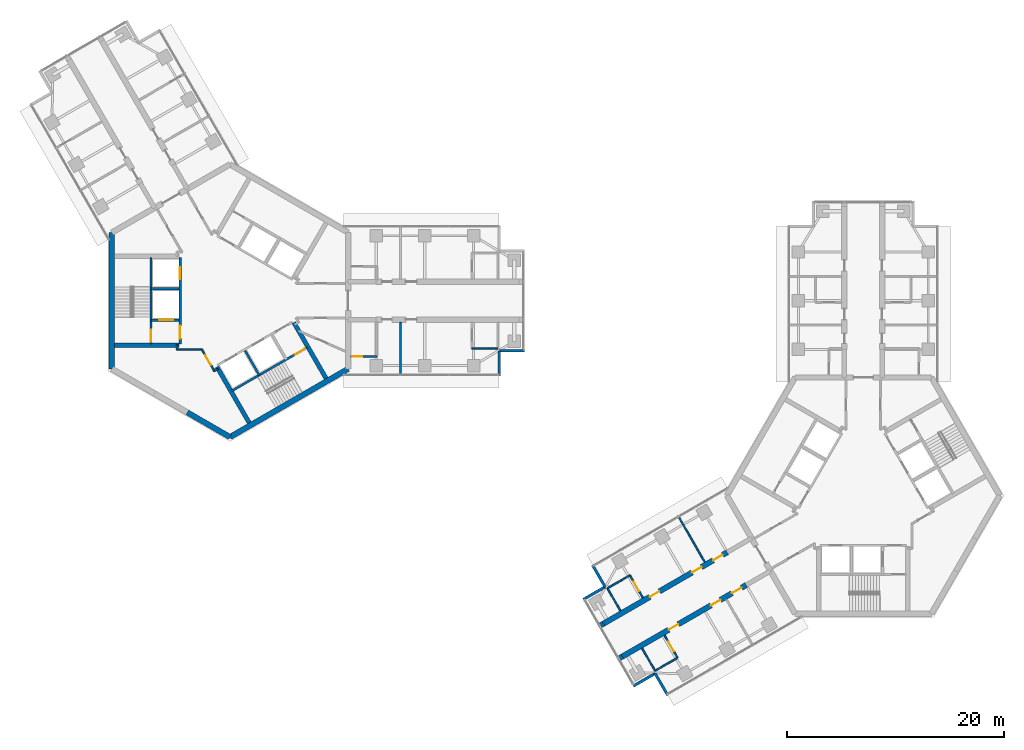
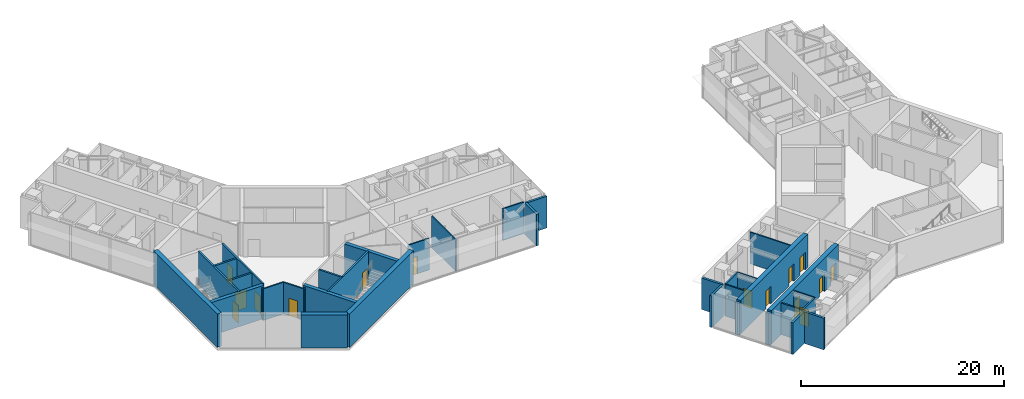
# One storey, part 11 of 17: 36 walls, 15 doors, 15 openings.
"""IFC4 building model written with IfcOpenShell, lengths in metres."""

from ifc_helpers import new_model, si_unit, direction, frame, frame_2d, origin, place, context, subcontext, project, spatial, rectangle, extrude, material, layer, layer_set, type_object, element, fill, save


model = new_model("IFC4")

# Units and contexts
model_context = context("Model", 3, precision=1e-05, world=origin(), true_north=direction((0.0, 1.0)))
body_context = subcontext(model_context, "Body", "Model", "MODEL_VIEW")
ifc_project = project(units=[si_unit("LENGTHUNIT", "METRE"), si_unit("AREAUNIT", "SQUARE_METRE"), si_unit("VOLUMEUNIT", "CUBIC_METRE"), si_unit("PLANEANGLEUNIT", "RADIAN"), si_unit("MASSUNIT", "GRAM", prefix="KILO")], contexts=[model_context])

# Site, building, storey
site_placement = place(None, origin())
site = spatial("IfcSite", under=ifc_project, at=site_placement, CompositionType="ELEMENT")
building_placement = place(site_placement, origin())
building = spatial("IfcBuilding", under=site, at=building_placement, Name="Upepo Twin Towers", CompositionType="ELEMENT")
storey_placement = place(building_placement, frame((0.0, 0.0, 194.5)))
storey = spatial("IfcBuildingStorey", under=building, at=storey_placement, Name="L47", CompositionType="ELEMENT", Elevation=194.5)

# Walls
ifc_material_1 = material(Name="Dense concrete blockwork", Category="masonry")
ifc_layer_1 = layer(ifc_material_1, 0.5)
ifc_layer_set_1 = layer_set([ifc_layer_1], Name="Buttress closer 500, blockwork with fire-stopping to the curtain wall")
wall_type_1 = type_object("IfcWallType", Name="Buttress closer 500, blockwork with fire-stopping to the curtain wall", PredefinedType="PARTITIONING", material=ifc_layer_set_1)
for number, where, z_axis, x_axis, name in (
    (1, (36.252197265625, -32.865478515625, 0.0), (0.0, 0.0, 1.0), (-0.86598763626, -0.500065409566, 0.0), "T2 L47 wing B buttress closer L"),
    (2, (34.502197265625, -29.83447265625, 0.0), (0.0, 0.0, 1.0), (-0.86598763626, -0.500065409566, 0.0), "T2 L47 wing B buttress closer R"),
):
    element("IfcWall", number, at=place(storey_placement, frame(where, z_axis=z_axis, x_axis=x_axis)), inside=storey, type_object=wall_type_1, Name=name, PredefinedType="PARTITIONING", context=body_context, shape_type="SweptSolid", body=[
        extrude(rectangle(XDim=0.28759765625, YDim=0.5, at=frame_2d((0.143798828125, 0.0))), origin(), (0.0, 0.0, 1.0), 3.800048828125),
    ])

# Wall, openings, doors
ifc_material_2 = material(Name="Concrete C60/75", Category="concrete")
ifc_layer_2 = layer(ifc_material_2, 0.5)
ifc_layer_set_2 = layer_set([ifc_layer_2], Name="Concrete C60/75")
wall_type_2 = type_object("IfcWallType", Name="Buttress wall 500 RC", PredefinedType="SHEAR", material=ifc_layer_set_2)
wall_1_placement = place(storey_placement, frame((47.68359375, -26.265625, 0.0), z_axis=(0.0, 0.0, 1.0), x_axis=(-0.866027579429, -0.499996231654, 0.0)))
wall_1 = element("IfcWall", 3, at=wall_1_placement, inside=storey, type_object=wall_type_2, Name="T2 wing B buttress wall L part 2", PredefinedType="SHEAR", context=body_context, shape_type="SweptSolid", body=[
    extrude(rectangle(XDim=13.19970703125, YDim=0.5, at=frame_2d((6.599853515625, 0.0))), origin(), (0.0, 0.0, 1.0), 4.0),
])
opening_1_placement = place(wall_1_placement, frame((0.5, 0.0, 0.0)))
opening_1 = element("IfcOpeningElement", 4, at=opening_1_placement, cuts=wall_1, Name="Opening D1", PredefinedType="OPENING", context=body_context, shape_type="SweptSolid", body=[
    extrude(rectangle(XDim=1.0, YDim=2.10009765625, at=frame_2d((0.5, 1.050048828125))), frame((0.0, 0.260009765625, 0.0), z_axis=(0.0, -1.0, 0.0), x_axis=(1.0, 0.0, 0.0)), (0.0, 0.0, 1.0), 0.52001953125),
])
opening_2_placement = place(wall_1_placement, frame((2.75, 0.0, 0.0)))
opening_2 = element("IfcOpeningElement", 5, at=opening_2_placement, cuts=wall_1, Name="Opening D1", PredefinedType="OPENING", context=body_context, shape_type="SweptSolid", body=[
    extrude(rectangle(XDim=1.0, YDim=2.10009765625, at=frame_2d((0.5, 1.050048828125))), frame((0.0, 0.260009765625, 0.0), z_axis=(0.0, -1.0, 0.0), x_axis=(1.0, 0.0, 0.0)), (0.0, 0.0, 1.0), 0.52001953125),
])
opening_3_placement = place(wall_1_placement, frame((7.25, 0.0, 0.0)))
opening_3 = element("IfcOpeningElement", 6, at=opening_3_placement, cuts=wall_1, Name="Opening D1", PredefinedType="OPENING", context=body_context, shape_type="SweptSolid", body=[
    extrude(rectangle(XDim=1.0, YDim=2.10009765625, at=frame_2d((0.5, 1.050048828125))), frame((0.0, 0.260009765625, 0.0), z_axis=(0.0, -1.0, 0.0), x_axis=(1.0, 0.0, 0.0)), (0.0, 0.0, 1.0), 0.52001953125),
])
ifc_material_3 = material(Name="Timber doorset", Category="wood")
door_type_1 = type_object("IfcDoorType", Name="Room door 1000 FD30", OperationType="SINGLE_SWING_LEFT", PredefinedType="DOOR", material=ifc_material_3)
door_1_placement = place(opening_1_placement, origin())
door_1 = element("IfcDoor", 7, at=door_1_placement, inside=storey, type_object=door_type_1, Name="T2 L47 tutorial room door", OperationType="SINGLE_SWING_LEFT", OverallHeight=2.10009765625, OverallWidth=1.0, PredefinedType="DOOR", context=body_context, shape_type="SweptSolid", body=[
    extrude(rectangle(XDim=1.0, YDim=2.10009765625, at=frame_2d((0.5, 1.050048828125))), frame((0.0, 0.02490234375, 0.0), z_axis=(0.0, -1.0, 0.0), x_axis=(1.0, 0.0, 0.0)), (0.0, 0.0, 1.0), 0.050048828125),
])
fill(opening_1, door_1)
door_2_placement = place(opening_2_placement, origin())
door_2 = element("IfcDoor", 8, at=door_2_placement, inside=storey, type_object=door_type_1, Name="T2 L47 business school suite door", OperationType="SINGLE_SWING_LEFT", OverallHeight=2.10009765625, OverallWidth=1.0, PredefinedType="DOOR", context=body_context, shape_type="SweptSolid", body=[
    extrude(rectangle(XDim=1.0, YDim=2.10009765625, at=frame_2d((0.5, 1.050048828125))), frame((0.0, 0.02490234375, 0.0), z_axis=(0.0, -1.0, 0.0), x_axis=(1.0, 0.0, 0.0)), (0.0, 0.0, 1.0), 0.050048828125),
])
fill(opening_2, door_2)
door_3_placement = place(opening_3_placement, origin())
door_3 = element("IfcDoor", 9, at=door_3_placement, inside=storey, type_object=door_type_1, Name="T2 L47 business school suite door", OperationType="SINGLE_SWING_RIGHT", OverallHeight=2.10009765625, OverallWidth=1.0, PredefinedType="DOOR", context=body_context, shape_type="SweptSolid", body=[
    extrude(rectangle(XDim=1.0, YDim=2.10009765625, at=frame_2d((0.5, 1.050048828125))), frame((0.0, 0.02490234375, 0.0), z_axis=(0.0, -1.0, 0.0), x_axis=(1.0, 0.0, 0.0)), (0.0, 0.0, 1.0), 0.050048828125),
])
fill(opening_3, door_3)

wall_2_placement = place(storey_placement, frame((45.93359375, -23.234375, 0.0), z_axis=(0.0, 0.0, 1.0), x_axis=(-0.866019570528, -0.500010103361, 0.0)))
wall_2 = element("IfcWall", 10, at=wall_2_placement, inside=storey, type_object=wall_type_2, Name="T2 wing B buttress wall R part 2", PredefinedType="SHEAR", context=body_context, shape_type="SweptSolid", body=[
    extrude(rectangle(XDim=13.199951171875, YDim=0.5, at=frame_2d((6.60009765625, 0.0))), origin(), (0.0, 0.0, 1.0), 4.0),
])
opening_4_placement = place(wall_2_placement, frame((0.5, 0.0, 0.0)))
opening_4 = element("IfcOpeningElement", 11, at=opening_4_placement, cuts=wall_2, Name="Opening D1", PredefinedType="OPENING", context=body_context, shape_type="SweptSolid", body=[
    extrude(rectangle(XDim=1.0, YDim=2.10009765625, at=frame_2d((0.5, 1.050048828125))), frame((0.0, 0.260009765625, 0.0), z_axis=(0.0, -1.0, 0.0), x_axis=(1.0, 0.0, 0.0)), (0.0, 0.0, 1.0), 0.52001953125),
])
opening_5_placement = place(wall_2_placement, frame((2.75, 0.0, 0.0)))
opening_5 = element("IfcOpeningElement", 12, at=opening_5_placement, cuts=wall_2, Name="Opening D1", PredefinedType="OPENING", context=body_context, shape_type="SweptSolid", body=[
    extrude(rectangle(XDim=1.0, YDim=2.10009765625, at=frame_2d((0.5, 1.050048828125))), frame((0.0, 0.260009765625, 0.0), z_axis=(0.0, -1.0, 0.0), x_axis=(1.0, 0.0, 0.0)), (0.0, 0.0, 1.0), 0.52001953125),
])
opening_6_placement = place(wall_2_placement, frame((7.25, 0.0, 0.0)))
opening_6 = element("IfcOpeningElement", 13, at=opening_6_placement, cuts=wall_2, Name="Opening D1", PredefinedType="OPENING", context=body_context, shape_type="SweptSolid", body=[
    extrude(rectangle(XDim=1.0, YDim=2.10009765625, at=frame_2d((0.5, 1.050048828125))), frame((0.0, 0.260009765625, 0.0), z_axis=(0.0, -1.0, 0.0), x_axis=(1.0, 0.0, 0.0)), (0.0, 0.0, 1.0), 0.52001953125),
])
door_4_placement = place(opening_4_placement, origin())
door_4 = element("IfcDoor", 14, at=door_4_placement, inside=storey, type_object=door_type_1, Name="T2 L47 staff office door", OperationType="SINGLE_SWING_LEFT", OverallHeight=2.10009765625, OverallWidth=1.0, PredefinedType="DOOR", context=body_context, shape_type="SweptSolid", body=[
    extrude(rectangle(XDim=1.0, YDim=2.10009765625, at=frame_2d((0.5, 1.050048828125))), frame((0.0, 0.02490234375, 0.0), z_axis=(0.0, -1.0, 0.0), x_axis=(1.0, 0.0, 0.0)), (0.0, 0.0, 1.0), 0.050048828125),
])
fill(opening_4, door_4)
door_5_placement = place(opening_5_placement, origin())
door_5 = element("IfcDoor", 15, at=door_5_placement, inside=storey, type_object=door_type_1, Name="T2 L47 business school suite door", OperationType="SINGLE_SWING_LEFT", OverallHeight=2.10009765625, OverallWidth=1.0, PredefinedType="DOOR", context=body_context, shape_type="SweptSolid", body=[
    extrude(rectangle(XDim=1.0, YDim=2.10009765625, at=frame_2d((0.5, 1.050048828125))), frame((0.0, 0.02490234375, 0.0), z_axis=(0.0, -1.0, 0.0), x_axis=(1.0, 0.0, 0.0)), (0.0, 0.0, 1.0), 0.050048828125),
])
fill(opening_5, door_5)
door_6_placement = place(opening_6_placement, origin())
door_6 = element("IfcDoor", 16, at=door_6_placement, inside=storey, type_object=door_type_1, Name="T2 L47 business school suite door", OperationType="SINGLE_SWING_RIGHT", OverallHeight=2.10009765625, OverallWidth=1.0, PredefinedType="DOOR", context=body_context, shape_type="SweptSolid", body=[
    extrude(rectangle(XDim=1.0, YDim=2.10009765625, at=frame_2d((0.5, 1.050048828125))), frame((0.0, 0.02490234375, 0.0), z_axis=(0.0, -1.0, 0.0), x_axis=(1.0, 0.0, 0.0)), (0.0, 0.0, 1.0), 0.050048828125),
])
fill(opening_6, door_6)

# Walls
ifc_material_4 = material(Name="Concrete C60/75", Category="concrete")
ifc_layer_3 = layer(ifc_material_4, 0.5)
ifc_layer_set_3 = layer_set([ifc_layer_3], Name="Concrete C60/75")
wall_type_3 = type_object("IfcWallType", Name="Core wall 500 RC", PredefinedType="SHEAR", material=ifc_layer_set_3)
wall_3_placement = place(storey_placement, frame((-10.908447265625, 6.2978515625, 0.0), z_axis=(0.0, 0.0, 1.0), x_axis=(0.0, -1.0, 0.0)))
element("IfcWall", 17, at=wall_3_placement, inside=storey, type_object=wall_type_3, Name="T1 core wall 180", PredefinedType="SHEAR", context=body_context, shape_type="SweptSolid", body=[
    extrude(rectangle(XDim=12.595703125, YDim=0.5, at=frame_2d((6.2978515625, 0.0))), origin(), (0.0, 0.0, 1.0), 4.0),
])
wall_4_placement = place(storey_placement, frame((-3.938720703125, -10.32177734375, 0.0), z_axis=(0.0, 0.0, 1.0), x_axis=(0.866011268655, -0.500024481964, 0.0)))
element("IfcWall", 18, at=wall_4_placement, inside=storey, type_object=wall_type_3, Name="T1 core wall 240 L", PredefinedType="SHEAR", context=body_context, shape_type="SweptSolid", body=[
    extrude(rectangle(XDim=4.548095703125, YDim=0.5, at=frame_2d((2.27392578125, 0.0))), origin(), (0.0, 0.0, 1.0), 4.0),
])
wall_5_placement = place(storey_placement, frame((0.0, -12.595947265625, 0.0), z_axis=(0.0, 0.0, 1.0), x_axis=(0.866021940709, 0.500005998175, 0.0)))
element("IfcWall", 19, at=wall_5_placement, inside=storey, type_object=wall_type_3, Name="T1 core wall 300", PredefinedType="SHEAR", context=body_context, shape_type="SweptSolid", body=[
    extrude(rectangle(XDim=12.595947265625, YDim=0.5, at=frame_2d((6.2978515625, 0.0))), origin(), (0.0, 0.0, 1.0), 4.0),
])
ifc_material_5 = material(Name="Blockwork with anodised aluminium cladding", Category="masonry")
ifc_layer_4 = layer(ifc_material_5, 0.25)
ifc_layer_set_4 = layer_set([ifc_layer_4], Name="Notch cladding wall 250, pale metal")
wall_type_4 = type_object("IfcWallType", Name="Notch cladding wall 250, pale metal", PredefinedType="STANDARD", material=ifc_layer_set_4)
for number, where, z_axis, x_axis, name in (
    (20, (24.875, -6.949951171875, 0.0), (0.0, 0.0, 1.0), (0.0, 1.0, 0.0), "T1 L47 wing A notch wall R1"),
    (21, (24.875, -4.625, 0.0), (0.0, 0.0, 1.0), (1.0, 0.0, 0.0), "T1 L47 wing A notch wall R2"),
    (22, (40.4326171875, -36.456298828125, 0.0), (0.0, 0.0, 1.0), (-0.500046648681, 0.865998469481, 0.0), "T2 L47 wing B notch wall L1"),
    (23, (39.27001953125, -34.44287109375, 0.0), (0.0, 0.0, 1.0), (-0.865998469481, -0.500046648681, 0.0), "T2 L47 wing B notch wall L2"),
    (24, (33.482666015625, -24.418701171875, 0.0), (0.0, 0.0, 1.0), (0.499967891604, -0.866043940782, 0.0), "T2 L47 wing B notch wall R1"),
    (25, (34.64501953125, -26.43212890625, 0.0), (0.0, 0.0, 1.0), (-0.865998469481, -0.500046648681, 0.0), "T2 L47 wing B notch wall R2"),
):
    element("IfcWall", number, at=place(storey_placement, frame(where, z_axis=z_axis, x_axis=x_axis)), inside=storey, type_object=wall_type_4, Name=name, PredefinedType="STANDARD", context=body_context, shape_type="SweptSolid", body=[
        extrude(rectangle(XDim=2.324951171875, YDim=0.25, at=frame_2d((1.16259765625, 0.0))), origin(), (0.0, 0.0, 1.0), 3.800048828125),
    ])

# Wall, openings, doors
ifc_material_6 = material(Name="Concrete C40/50", Category="concrete")
ifc_layer_5 = layer(ifc_material_6, 0.199951171875)
ifc_layer_set_5 = layer_set([ifc_layer_5], Name="Concrete C40/50")
wall_type_5 = type_object("IfcWallType", Name="Shaft wall 200 RC", PredefinedType="SHEAR", material=ifc_layer_set_5)
wall_6_placement = place(storey_placement, frame((-4.60009765625, 4.0, 0.0), z_axis=(0.0, 0.0, 1.0), x_axis=(0.0, -1.0, 0.0)))
wall_6 = element("IfcWall", 26, at=wall_6_placement, inside=storey, type_object=wall_type_5, Name="T1 core W180 front wall", PredefinedType="SHEAR", context=body_context, shape_type="SweptSolid", body=[
    extrude(rectangle(XDim=8.0, YDim=0.199951171875, at=frame_2d((4.0, 0.0))), origin(), (0.0, 0.0, 1.0), 4.0),
])
opening_7_placement = place(wall_6_placement, frame((6.300048828125, 0.0, 0.0)))
opening_7 = element("IfcOpeningElement", 27, at=opening_7_placement, cuts=wall_6, Name="Opening D4", PredefinedType="OPENING", context=body_context, shape_type="SweptSolid", body=[
    extrude(rectangle(XDim=1.199951171875, YDim=2.10009765625, at=frame_2d((0.60009765625, 1.050048828125))), frame((0.0, 0.10986328125, 0.0), z_axis=(0.0, -1.0, 0.0), x_axis=(1.0, 0.0, 0.0)), (0.0, 0.0, 1.0), 0.219970703125),
])
opening_8_placement = place(wall_6_placement, frame((0.89990234375, 0.0, 0.0)))
opening_8 = element("IfcOpeningElement", 28, at=opening_8_placement, cuts=wall_6, Name="Opening LD1", PredefinedType="OPENING", context=body_context, shape_type="SweptSolid", body=[
    extrude(rectangle(XDim=1.10009765625, YDim=2.199951171875, at=frame_2d((0.550048828125, 1.10009765625))), frame((0.0, 0.10986328125, 0.0), z_axis=(0.0, -1.0, 0.0), x_axis=(1.0, 0.0, 0.0)), (0.0, 0.0, 1.0), 0.219970703125),
])
ifc_material_7 = material(Name="Steel doorset", Category="steel")
door_type_2 = type_object("IfcDoorType", Name="Lift landing door 1100", OperationType="DOUBLE_DOOR_SLIDING", PredefinedType="DOOR", material=ifc_material_7)
door_7_placement = place(opening_8_placement, origin())
door_7 = element("IfcDoor", 29, at=door_7_placement, inside=storey, type_object=door_type_2, Name="T1 L47 lift SV1 landing door", OperationType="DOUBLE_DOOR_SLIDING", OverallHeight=2.199951171875, OverallWidth=1.10009765625, PredefinedType="DOOR", context=body_context, shape_type="SweptSolid", body=[
    extrude(rectangle(XDim=1.10009765625, YDim=2.199951171875, at=frame_2d((0.550048828125, 1.10009765625))), frame((0.0, 0.02490234375, 0.0), z_axis=(0.0, -1.0, 0.0), x_axis=(1.0, 0.0, 0.0)), (0.0, 0.0, 1.0), 0.050048828125),
])
fill(opening_8, door_7)
ifc_material_8 = material(Name="Timber doorset", Category="wood")
door_type_3 = type_object("IfcDoorType", Name="Lobby door 1200 FD60", OperationType="SINGLE_SWING_LEFT", PredefinedType="DOOR", material=ifc_material_8)
door_8_placement = place(opening_7_placement, origin())
door_8 = element("IfcDoor", 30, at=door_8_placement, inside=storey, type_object=door_type_3, Name="T1 L47 W180 lobby door", OperationType="SINGLE_SWING_RIGHT", OverallHeight=2.10009765625, OverallWidth=1.199951171875, PredefinedType="DOOR", context=body_context, shape_type="SweptSolid", body=[
    extrude(rectangle(XDim=1.199951171875, YDim=2.10009765625, at=frame_2d((0.60009765625, 1.050048828125))), frame((0.0, 0.02490234375, 0.0), z_axis=(0.0, -1.0, 0.0), x_axis=(1.0, 0.0, 0.0)), (0.0, 0.0, 1.0), 0.050048828125),
])
fill(opening_7, door_8)

# Wall
wall_7_placement = place(storey_placement, frame((-4.699951171875, 1.10009765625, 0.0), z_axis=(0.0, 0.0, 1.0), x_axis=(-1.0, 0.0, 0.0)))
element("IfcWall", 31, at=wall_7_placement, inside=storey, type_object=wall_type_5, Name="T1 core W180 shaft divider", PredefinedType="SHEAR", context=body_context, shape_type="SweptSolid", body=[
    extrude(rectangle(XDim=2.60009765625, YDim=0.199951171875, at=frame_2d((1.300048828125, 0.0))), origin(), (0.0, 0.0, 1.0), 4.0),
])

# Wall, opening, door
wall_8_placement = place(storey_placement, frame((-4.699951171875, -1.800048828125, 0.0), z_axis=(0.0, 0.0, 1.0), x_axis=(-1.0, 0.0, 0.0)))
wall_8 = element("IfcWall", 32, at=wall_8_placement, inside=storey, type_object=wall_type_5, Name="T1 core W180 lobby wall", PredefinedType="SHEAR", context=body_context, shape_type="SweptSolid", body=[
    extrude(rectangle(XDim=2.60009765625, YDim=0.199951171875, at=frame_2d((1.300048828125, 0.0))), origin(), (0.0, 0.0, 1.0), 4.0),
])
opening_9_placement = place(wall_8_placement, frame((0.550048828125, 0.0, 0.0)))
opening_9 = element("IfcOpeningElement", 33, at=opening_9_placement, cuts=wall_8, Name="Opening LD2", PredefinedType="OPENING", context=body_context, shape_type="SweptSolid", body=[
    extrude(rectangle(XDim=1.300048828125, YDim=2.199951171875, at=frame_2d((0.64990234375, 1.10009765625))), frame((0.0, 0.10986328125, 0.0), z_axis=(0.0, -1.0, 0.0), x_axis=(1.0, 0.0, 0.0)), (0.0, 0.0, 1.0), 0.219970703125),
])
ifc_material_9 = material(Name="Steel doorset", Category="steel")
door_type_4 = type_object("IfcDoorType", Name="Firefighting lift landing door 1300", OperationType="DOUBLE_DOOR_SLIDING", PredefinedType="DOOR", material=ifc_material_9)
door_9_placement = place(opening_9_placement, origin())
door_9 = element("IfcDoor", 34, at=door_9_placement, inside=storey, type_object=door_type_4, Name="T1 L47 firefighting lift landing door", OperationType="DOUBLE_DOOR_SLIDING", OverallHeight=2.199951171875, OverallWidth=1.300048828125, PredefinedType="DOOR", context=body_context, shape_type="SweptSolid", body=[
    extrude(rectangle(XDim=1.300048828125, YDim=2.199951171875, at=frame_2d((0.64990234375, 1.10009765625))), frame((0.0, 0.02490234375, 0.0), z_axis=(0.0, -1.0, 0.0), x_axis=(1.0, 0.0, 0.0)), (0.0, 0.0, 1.0), 0.050048828125),
])
fill(opening_9, door_9)

wall_9_placement = place(storey_placement, frame((-7.300048828125, 4.0, 0.0), z_axis=(0.0, 0.0, 1.0), x_axis=(0.0, -1.0, 0.0)))
wall_9 = element("IfcWall", 35, at=wall_9_placement, inside=storey, type_object=wall_type_5, Name="T1 core W180 stair wall", PredefinedType="SHEAR", context=body_context, shape_type="SweptSolid", body=[
    extrude(rectangle(XDim=8.0, YDim=0.199951171875, at=frame_2d((4.0, 0.0))), origin(), (0.0, 0.0, 1.0), 4.0),
])
opening_10_placement = place(wall_9_placement, frame((6.699951171875, 0.0, 0.0)))
opening_10 = element("IfcOpeningElement", 36, at=opening_10_placement, cuts=wall_9, Name="Opening D3", PredefinedType="OPENING", context=body_context, shape_type="SweptSolid", body=[
    extrude(rectangle(XDim=1.10009765625, YDim=2.10009765625, at=frame_2d((0.550048828125, 1.050048828125))), frame((0.0, 0.10986328125, 0.0), z_axis=(0.0, -1.0, 0.0), x_axis=(1.0, 0.0, 0.0)), (0.0, 0.0, 1.0), 0.219970703125),
])
ifc_material_10 = material(Name="Timber doorset", Category="wood")
door_type_5 = type_object("IfcDoorType", Name="Stair door 1100 FD60", OperationType="SINGLE_SWING_LEFT", PredefinedType="DOOR", material=ifc_material_10)
door_10_placement = place(opening_10_placement, origin())
door_10 = element("IfcDoor", 37, at=door_10_placement, inside=storey, type_object=door_type_5, Name="T1 L47 stair door", OperationType="SINGLE_SWING_RIGHT", OverallHeight=2.10009765625, OverallWidth=1.10009765625, PredefinedType="DOOR", context=body_context, shape_type="SweptSolid", body=[
    extrude(rectangle(XDim=1.10009765625, YDim=2.10009765625, at=frame_2d((0.550048828125, 1.050048828125))), frame((0.0, 0.02490234375, 0.0), z_axis=(0.0, -1.0, 0.0), x_axis=(1.0, 0.0, 0.0)), (0.0, 0.0, 1.0), 0.050048828125),
])
fill(opening_10, door_10)

# Wall
wall_10_placement = place(storey_placement, frame((1.3974609375, -4.620361328125, 0.0), z_axis=(0.0, 0.0, 1.0), x_axis=(0.499936506574, -0.866062058628, 0.0)))
element("IfcWall", 38, at=wall_10_placement, inside=storey, type_object=wall_type_5, Name="T1 core W300 shaft divider", PredefinedType="SHEAR", context=body_context, shape_type="SweptSolid", body=[
    extrude(rectangle(XDim=2.599853515625, YDim=0.199951171875, at=frame_2d((1.2998046875, 0.0))), origin(), (0.0, 0.0, 1.0), 4.0),
])

# Wall, opening, door
wall_11_placement = place(storey_placement, frame((0.185791015625, -8.322021484375, 0.0), z_axis=(0.0, 0.0, 1.0), x_axis=(0.866026010844, 0.49999894854, 0.0)))
wall_11 = element("IfcWall", 39, at=wall_11_placement, inside=storey, type_object=wall_type_5, Name="T1 core W300 stair wall", PredefinedType="SHEAR", context=body_context, shape_type="SweptSolid", body=[
    extrude(rectangle(XDim=8.0, YDim=0.199951171875, at=frame_2d((4.0, 0.0))), origin(), (0.0, 0.0, 1.0), 4.0),
])
opening_11_placement = place(wall_11_placement, frame((6.699951171875, 0.0, 0.0)))
opening_11 = element("IfcOpeningElement", 40, at=opening_11_placement, cuts=wall_11, Name="Opening D3", PredefinedType="OPENING", context=body_context, shape_type="SweptSolid", body=[
    extrude(rectangle(XDim=1.10009765625, YDim=2.10009765625, at=frame_2d((0.550048828125, 1.050048828125))), frame((0.0, 0.10986328125, 0.0), z_axis=(0.0, -1.0, 0.0), x_axis=(1.0, 0.0, 0.0)), (0.0, 0.0, 1.0), 0.219970703125),
])
door_11_placement = place(opening_11_placement, origin())
door_11 = element("IfcDoor", 41, at=door_11_placement, inside=storey, type_object=door_type_5, Name="T1 L47 stair door", OperationType="SINGLE_SWING_RIGHT", OverallHeight=2.10009765625, OverallWidth=1.10009765625, PredefinedType="DOOR", context=body_context, shape_type="SweptSolid", body=[
    extrude(rectangle(XDim=1.10009765625, YDim=2.10009765625, at=frame_2d((0.550048828125, 1.050048828125))), frame((0.0, 0.02490234375, 0.0), z_axis=(0.0, -1.0, 0.0), x_axis=(1.0, 0.0, 0.0)), (0.0, 0.0, 1.0), 0.050048828125),
])
fill(opening_11, door_11)

# Walls
ifc_material_11 = material(Name="Concrete C40/50", Category="concrete")
ifc_layer_6 = layer(ifc_material_11, 0.39990234375)
ifc_layer_set_6 = layer_set([ifc_layer_6], Name="Concrete C40/50")
wall_type_6 = type_object("IfcWallType", Name="Shaft wall 400 RC", PredefinedType="SHEAR", material=ifc_layer_set_6)
for number, where, z_axis, x_axis, name in (
    (42, (-4.699951171875, -4.10009765625, 0.0), (0.0, 0.0, 1.0), (-1.0, 0.0, 0.0), "T1 core W180 side wall N"),
    (43, (5.900634765625, -2.020263671875, 0.0), (0.0, 0.0, 1.0), (0.500003832394, -0.86602319114, 0.0), "T1 core W300 side wall N"),
):
    element("IfcWall", number, at=place(storey_placement, frame(where, z_axis=z_axis, x_axis=x_axis)), inside=storey, type_object=wall_type_6, Name=name, PredefinedType="SHEAR", context=body_context, shape_type="SweptSolid", body=[
        extrude(rectangle(XDim=5.95849609375, YDim=0.39990234375, at=frame_2d((2.979248046875, 0.0))), origin(), (0.0, 0.0, 1.0), 4.0),
    ])
wall_12_placement = place(storey_placement, frame((-1.20068359375, -6.120361328125, 0.0), z_axis=(0.0, 0.0, 1.0), x_axis=(0.500021575205, -0.866012946976, 0.0)))
element("IfcWall", 44, at=wall_12_placement, inside=storey, type_object=wall_type_6, Name="T1 core W300 side wall S", PredefinedType="SHEAR", context=body_context, shape_type="SweptSolid", body=[
    extrude(rectangle(XDim=5.958251953125, YDim=0.39990234375, at=frame_2d((2.97900390625, 0.0))), origin(), (0.0, 0.0, 1.0), 4.0),
])
ifc_material_12 = material(Name="Gypsum board on steel studs", Category="steel")
ifc_layer_7 = layer(ifc_material_12, 0.14990234375)
ifc_layer_set_7 = layer_set([ifc_layer_7], Name="Teaching partition 150 acoustic")
wall_type_7 = type_object("IfcWallType", Name="Teaching partition 150 acoustic", PredefinedType="PARTITIONING", material=ifc_layer_set_7)
wall_13_placement = place(storey_placement, frame((15.75, -2.0, 0.0), z_axis=(0.0, 0.0, 1.0), x_axis=(0.0, -1.0, 0.0)))
element("IfcWall", 45, at=wall_13_placement, inside=storey, type_object=wall_type_7, Name="T1 partition AR at 15.75", PredefinedType="PARTITIONING", context=body_context, shape_type="SweptSolid", body=[
    extrude(rectangle(XDim=4.75, YDim=0.14990234375, at=frame_2d((2.375, 0.0))), origin(), (0.0, 0.0, 1.0), 3.800048828125),
])
wall_14_placement = place(storey_placement, frame((22.35009765625, -4.39990234375, 0.0), z_axis=(0.0, 0.0, 1.0), x_axis=(1.0, 0.0, 0.0)))
element("IfcWall", 46, at=wall_14_placement, inside=storey, type_object=wall_type_7, Name="T1 inner room partition AR at 22.35", PredefinedType="PARTITIONING", context=body_context, shape_type="SweptSolid", body=[
    extrude(rectangle(XDim=2.39990234375, YDim=0.14990234375, at=frame_2d((1.199951171875, 0.0))), origin(), (0.0, 0.0, 1.0), 3.800048828125),
])

# Wall, opening, door
wall_15_placement = place(storey_placement, frame((11.157958984375, -5.14990234375, 0.0), z_axis=(0.0, 0.0, 1.0), x_axis=(1.0, 0.0, 0.0)))
wall_15 = element("IfcWall", 47, at=wall_15_placement, inside=storey, type_object=wall_type_7, Name="T1 WC bay partition AR at 11.16", PredefinedType="PARTITIONING", context=body_context, shape_type="SweptSolid", body=[
    extrude(rectangle(XDim=2.400146484375, YDim=0.14990234375, at=frame_2d((1.2001953125, 0.0))), origin(), (0.0, 0.0, 1.0), 3.800048828125),
])
opening_12_placement = place(wall_15_placement, frame((0.14990234375, 0.0, 0.0)))
opening_12 = element("IfcOpeningElement", 48, at=opening_12_placement, cuts=wall_15, Name="Opening D14", PredefinedType="OPENING", context=body_context, shape_type="SweptSolid", body=[
    extrude(rectangle(XDim=0.89990234375, YDim=2.10009765625, at=frame_2d((0.449951171875, 1.050048828125))), frame((0.0, 0.0849609375, 0.0), z_axis=(0.0, -1.0, 0.0), x_axis=(1.0, 0.0, 0.0)), (0.0, 0.0, 1.0), 0.169921875),
])
ifc_material_13 = material(Name="Timber doorset", Category="wood")
door_type_6 = type_object("IfcDoorType", Name="Office door 900 FD30", OperationType="SINGLE_SWING_LEFT", PredefinedType="DOOR", material=ifc_material_13)
door_12_placement = place(opening_12_placement, origin())
door_12 = element("IfcDoor", 49, at=door_12_placement, inside=storey, type_object=door_type_6, Name="T1 L47 WC bay inner room door", OperationType="SINGLE_SWING_LEFT", OverallHeight=2.10009765625, OverallWidth=0.89990234375, PredefinedType="DOOR", context=body_context, shape_type="SweptSolid", body=[
    extrude(rectangle(XDim=0.89990234375, YDim=2.10009765625, at=frame_2d((0.449951171875, 1.050048828125))), frame((0.0, 0.02490234375, 0.0), z_axis=(0.0, -1.0, 0.0), x_axis=(1.0, 0.0, 0.0)), (0.0, 0.0, 1.0), 0.050048828125),
])
fill(opening_12, door_12)

# Wall
wall_16_placement = place(storey_placement, frame((-1.092041015625, -6.28857421875, 0.0), z_axis=(0.0, 0.0, 1.0), x_axis=(-0.866138304741, -0.499804398801, 0.0)))
element("IfcWall", 50, at=wall_16_placement, inside=storey, type_object=wall_type_7, Name="T1 core room partition 2", PredefinedType="PARTITIONING", context=body_context, shape_type="SweptSolid", body=[
    extrude(rectangle(XDim=0.429931640625, YDim=0.14990234375, at=frame_2d((0.21484375, 0.0))), origin(), (0.0, 0.0, 1.0), 3.800048828125),
])

# Wall, opening, door
wall_17_placement = place(storey_placement, frame((-1.43701171875, -6.5107421875, 0.0), z_axis=(0.0, 0.0, 1.0), x_axis=(-0.500074377092, 0.865982457891, 0.0)))
wall_17 = element("IfcWall", 51, at=wall_17_placement, inside=storey, type_object=wall_type_7, Name="T1 core room partition 3", PredefinedType="PARTITIONING", context=body_context, shape_type="SweptSolid", body=[
    extrude(rectangle(XDim=2.342041015625, YDim=0.14990234375, at=frame_2d((1.1708984375, 0.0))), origin(), (0.0, 0.0, 1.0), 3.800048828125),
])
opening_13_placement = place(wall_17_placement, frame((0.6708984375, 0.0, 0.0)))
opening_13 = element("IfcOpeningElement", 52, at=opening_13_placement, cuts=wall_17, Name="Opening D1", PredefinedType="OPENING", context=body_context, shape_type="SweptSolid", body=[
    extrude(rectangle(XDim=1.0, YDim=2.10009765625, at=frame_2d((0.5, 1.050048828125))), frame((0.0, 0.0849609375, 0.0), z_axis=(0.0, -1.0, 0.0), x_axis=(1.0, 0.0, 0.0)), (0.0, 0.0, 1.0), 0.169921875),
])
door_13_placement = place(opening_13_placement, origin())
door_13 = element("IfcDoor", 53, at=door_13_placement, inside=storey, type_object=door_type_1, Name="T1 L47 core room door K1", OperationType="SINGLE_SWING_RIGHT", OverallHeight=2.10009765625, OverallWidth=1.0, PredefinedType="DOOR", context=body_context, shape_type="SweptSolid", body=[
    extrude(rectangle(XDim=1.0, YDim=2.10009765625, at=frame_2d((0.5, 1.050048828125))), frame((0.0, 0.02490234375, 0.0), z_axis=(0.0, -1.0, 0.0), x_axis=(1.0, 0.0, 0.0)), (0.0, 0.0, 1.0), 0.050048828125),
])
fill(opening_13, door_13)

# Walls
wall_18_placement = place(storey_placement, frame((-2.578125, -4.5, 0.0), z_axis=(0.0, 0.0, 1.0), x_axis=(-1.0, 0.0, 0.0)))
element("IfcWall", 54, at=wall_18_placement, inside=storey, type_object=wall_type_7, Name="T1 core room partition 4", PredefinedType="PARTITIONING", context=body_context, shape_type="SweptSolid", body=[
    extrude(rectangle(XDim=2.341796875, YDim=0.14990234375, at=frame_2d((1.1708984375, 0.0))), origin(), (0.0, 0.0, 1.0), 3.800048828125),
])
wall_19_placement = place(storey_placement, frame((-4.89990234375, -4.52001953125, 0.0), z_axis=(0.0, 0.0, 1.0), x_axis=(0.0, 1.0, 0.0)))
element("IfcWall", 55, at=wall_19_placement, inside=storey, type_object=wall_type_7, Name="T1 core room partition 5", PredefinedType="PARTITIONING", context=body_context, shape_type="SweptSolid", body=[
    extrude(rectangle(XDim=0.429931640625, YDim=0.14990234375, at=frame_2d((0.21484375, 0.0))), origin(), (0.0, 0.0, 1.0), 3.800048828125),
])
wall_20_placement = place(storey_placement, frame((41.34423828125, -32.985595703125, 0.0), z_axis=(0.0, 0.0, 1.0), x_axis=(-0.866024647952, -0.500001309137, 0.0)))
element("IfcWall", 56, at=wall_20_placement, inside=storey, type_object=wall_type_7, Name="T2 inner room partition BL at 22.35", PredefinedType="PARTITIONING", context=body_context, shape_type="SweptSolid", body=[
    extrude(rectangle(XDim=2.39990234375, YDim=0.14990234375, at=frame_2d((1.199951171875, 0.0))), origin(), (0.0, 0.0, 1.0), 3.800048828125),
])

# Wall, opening, door
wall_21_placement = place(storey_placement, frame((40.144287109375, -30.906982421875, 0.0), z_axis=(0.0, 0.0, 1.0), x_axis=(0.499957262057, -0.866050077142, 0.0)))
wall_21 = element("IfcWall", 57, at=wall_21_placement, inside=storey, type_object=wall_type_7, Name="T2 inner room partition BL end at 22.35", PredefinedType="PARTITIONING", context=body_context, shape_type="SweptSolid", body=[
    extrude(rectangle(XDim=2.400146484375, YDim=0.14990234375, at=frame_2d((1.2001953125, 0.0))), origin(), (0.0, 0.0, 1.0), 3.800048828125),
])
opening_14_placement = place(wall_21_placement, frame((0.699951171875, 0.0, 0.0)))
opening_14 = element("IfcOpeningElement", 58, at=opening_14_placement, cuts=wall_21, Name="Opening D1", PredefinedType="OPENING", context=body_context, shape_type="SweptSolid", body=[
    extrude(rectangle(XDim=1.0, YDim=2.10009765625, at=frame_2d((0.5, 1.050048828125))), frame((0.0, 0.0849609375, 0.0), z_axis=(0.0, -1.0, 0.0), x_axis=(1.0, 0.0, 0.0)), (0.0, 0.0, 1.0), 0.169921875),
])
door_14_placement = place(opening_14_placement, origin())
door_14 = element("IfcDoor", 59, at=door_14_placement, inside=storey, type_object=door_type_1, Name="T2 L47 inner room door", OperationType="SINGLE_SWING_LEFT", OverallHeight=2.10009765625, OverallWidth=1.0, PredefinedType="DOOR", context=body_context, shape_type="SweptSolid", body=[
    extrude(rectangle(XDim=1.0, YDim=2.10009765625, at=frame_2d((0.5, 1.050048828125))), frame((0.0, 0.02490234375, 0.0), z_axis=(0.0, -1.0, 0.0), x_axis=(1.0, 0.0, 0.0)), (0.0, 0.0, 1.0), 0.050048828125),
])
fill(opening_14, door_14)

# Walls
wall_22_placement = place(storey_placement, frame((38.06591796875, -32.10693359375, 0.0), z_axis=(0.0, 0.0, 1.0), x_axis=(0.499957262057, -0.866050077142, 0.0)))
element("IfcWall", 60, at=wall_22_placement, inside=storey, type_object=wall_type_7, Name="T2 inner room partition BL end at 24.75", PredefinedType="PARTITIONING", context=body_context, shape_type="SweptSolid", body=[
    extrude(rectangle(XDim=2.400146484375, YDim=0.14990234375, at=frame_2d((1.2001953125, 0.0))), origin(), (0.0, 0.0, 1.0), 3.800048828125),
])
wall_23_placement = place(storey_placement, frame((43.860107421875, -24.14306640625, 0.0), z_axis=(0.0, 0.0, 1.0), x_axis=(-0.499986429846, 0.866033238375, 0.0)))
element("IfcWall", 61, at=wall_23_placement, inside=storey, type_object=wall_type_7, Name="T2 partition BR at 15.75", PredefinedType="PARTITIONING", context=body_context, shape_type="SweptSolid", body=[
    extrude(rectangle(XDim=4.750244140625, YDim=0.14990234375, at=frame_2d((2.375, 0.0))), origin(), (0.0, 0.0, 1.0), 3.800048828125),
])
wall_24_placement = place(storey_placement, frame((36.9443359375, -25.364501953125, 0.0), z_axis=(0.0, 0.0, 1.0), x_axis=(-0.866024647952, -0.500001309137, 0.0)))
element("IfcWall", 62, at=wall_24_placement, inside=storey, type_object=wall_type_7, Name="T2 inner room partition BR at 22.35", PredefinedType="PARTITIONING", context=body_context, shape_type="SweptSolid", body=[
    extrude(rectangle(XDim=2.39990234375, YDim=0.14990234375, at=frame_2d((1.199951171875, 0.0))), origin(), (0.0, 0.0, 1.0), 3.800048828125),
])

# Wall, opening, door
wall_25_placement = place(storey_placement, frame((38.144287109375, -27.44287109375, 0.0), z_axis=(0.0, 0.0, 1.0), x_axis=(-0.500001309137, 0.866024647952, 0.0)))
wall_25 = element("IfcWall", 63, at=wall_25_placement, inside=storey, type_object=wall_type_7, Name="T2 inner room partition BR end at 22.35", PredefinedType="PARTITIONING", context=body_context, shape_type="SweptSolid", body=[
    extrude(rectangle(XDim=2.39990234375, YDim=0.14990234375, at=frame_2d((1.199951171875, 0.0))), origin(), (0.0, 0.0, 1.0), 3.800048828125),
])
opening_15_placement = place(wall_25_placement, frame((0.699951171875, 0.0, 0.0)))
opening_15 = element("IfcOpeningElement", 64, at=opening_15_placement, cuts=wall_25, Name="Opening D1", PredefinedType="OPENING", context=body_context, shape_type="SweptSolid", body=[
    extrude(rectangle(XDim=1.0, YDim=2.10009765625, at=frame_2d((0.5, 1.050048828125))), frame((0.0, 0.0849609375, 0.0), z_axis=(0.0, -1.0, 0.0), x_axis=(1.0, 0.0, 0.0)), (0.0, 0.0, 1.0), 0.169921875),
])
door_15_placement = place(opening_15_placement, origin())
door_15 = element("IfcDoor", 65, at=door_15_placement, inside=storey, type_object=door_type_1, Name="T2 L47 inner room door", OperationType="SINGLE_SWING_LEFT", OverallHeight=2.10009765625, OverallWidth=1.0, PredefinedType="DOOR", context=body_context, shape_type="SweptSolid", body=[
    extrude(rectangle(XDim=1.0, YDim=2.10009765625, at=frame_2d((0.5, 1.050048828125))), frame((0.0, 0.02490234375, 0.0), z_axis=(0.0, -1.0, 0.0), x_axis=(1.0, 0.0, 0.0)), (0.0, 0.0, 1.0), 0.050048828125),
])
fill(opening_15, door_15)

# Wall
wall_26_placement = place(storey_placement, frame((36.06591796875, -28.64306640625, 0.0), z_axis=(0.0, 0.0, 1.0), x_axis=(-0.499957262057, 0.866050077142, 0.0)))
element("IfcWall", 66, at=wall_26_placement, inside=storey, type_object=wall_type_7, Name="T2 inner room partition BR end at 24.75", PredefinedType="PARTITIONING", context=body_context, shape_type="SweptSolid", body=[
    extrude(rectangle(XDim=2.400146484375, YDim=0.14990234375, at=frame_2d((1.2001953125, 0.0))), origin(), (0.0, 0.0, 1.0), 3.800048828125),
])

save(model, "model.ifc")
